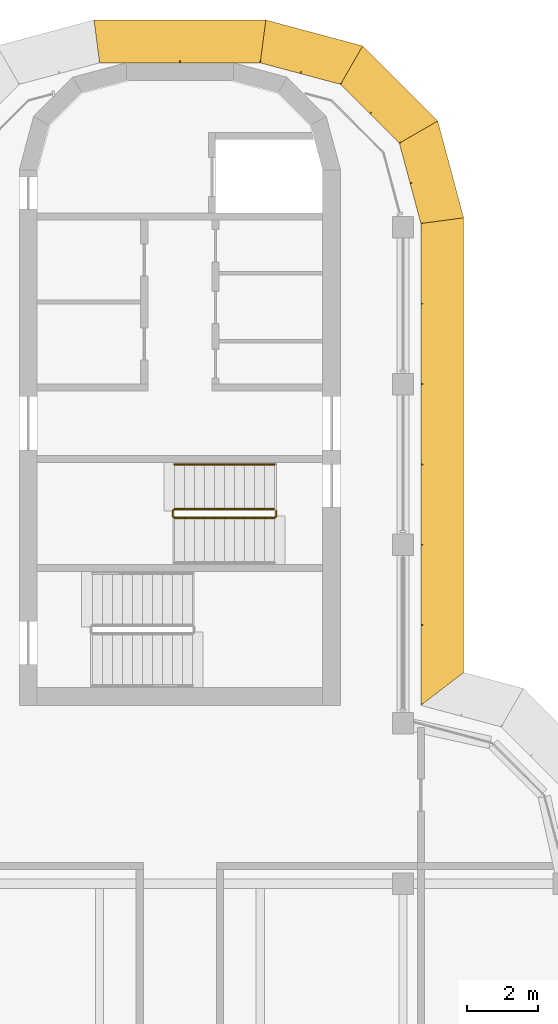
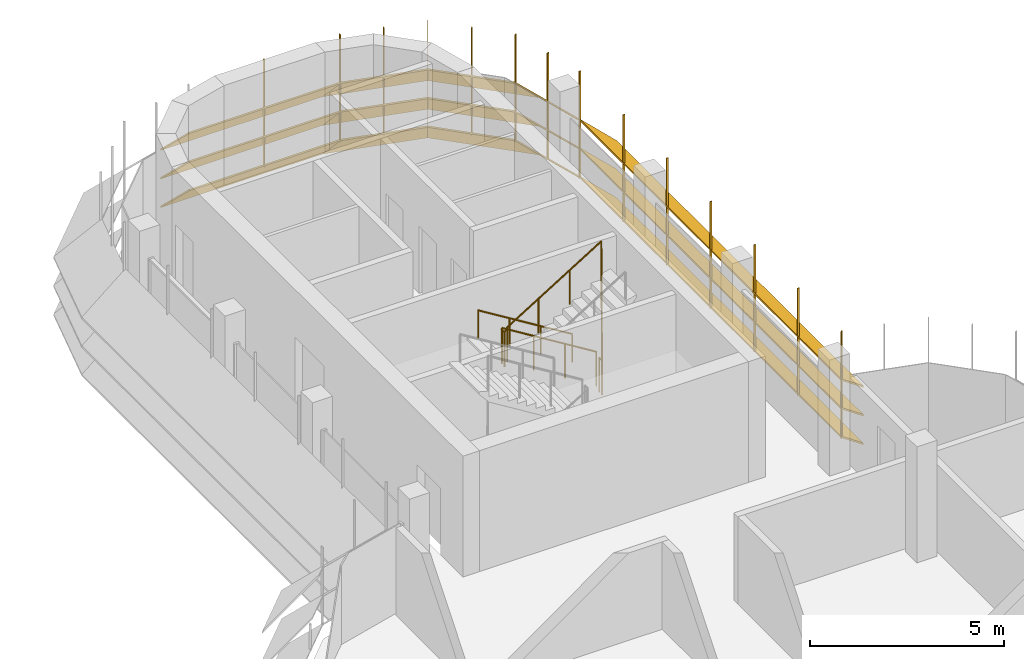
# One storey, part 20 of 20: 3 shading devices, 2 railings.
"""IFC4 building model written with IfcOpenShell, lengths in metres."""

from ifc_helpers import new_model, si_unit, direction, frame, origin, origin_2d, place, context, subcontext, project, spatial, polyline, circle, outline, extrude, faceted_brep, source, transform, mapped, material, type_object, element, save


model = new_model("IFC4")

# Units and contexts
model_context = context("Model", 3, precision=1e-05, world=origin(), true_north=direction((0.0, 1.0)))
body_context = subcontext(model_context, "Body", "Model", "MODEL_VIEW")
ifc_project = project(units=[si_unit("LENGTHUNIT", "METRE"), si_unit("AREAUNIT", "SQUARE_METRE"), si_unit("VOLUMEUNIT", "CUBIC_METRE"), si_unit("PLANEANGLEUNIT", "RADIAN"), si_unit("MASSUNIT", "GRAM", prefix="KILO")], contexts=[model_context])

# Site, building, storey
site_placement = place(None, origin())
site = spatial("IfcSite", under=ifc_project, at=site_placement, CompositionType="ELEMENT")
building_placement = place(site_placement, origin())
building = spatial("IfcBuilding", under=site, at=building_placement, Name="Zarbagh Exchange Tower", CompositionType="ELEMENT")
storey_placement = place(building_placement, frame((0.0, 0.0, 249.800048828125)))
storey = spatial("IfcBuildingStorey", under=building, at=storey_placement, Name="L61", CompositionType="ELEMENT", Elevation=249.800048828125)

# Railings
ifc_material_1 = material(Name="Stainless steel", Category="steel")
railing_type_1 = type_object("IfcRailingType", Name="Stair guard 1100 mm", PredefinedType="GUARDRAIL", material=ifc_material_1)
railing_1_placement = place(storey_placement, frame((2.64990234375, 16.75, 0.172607421875)))
element("IfcRailing", 1, at=railing_1_placement, inside=storey, type_object=railing_type_1, Name="ST1 stair guard 1", PredefinedType="GUARDRAIL", context=body_context, shape_type="SweptSolid", body=[
    extrude(circle(Radius=0.02392578125, at=origin_2d()), frame((0.0, 0.0, 1.076171875), z_axis=(-0.851069175582, 0.0, 0.525053576669), x_axis=(0.0, -1.0, 0.0)), (0.0, 0.0, 1.0), 3.289794921875),
    extrude(circle(Radius=0.02392578125, at=origin_2d()), frame((-2.7998046875, 0.0, 2.80322265625), z_axis=(-0.707106781187, -0.707106781187, 0.0), x_axis=(0.707106781187, -0.707106781187, 0.0)), (0.0, 0.0, 1.0), 0.07080078125),
    extrude(circle(Radius=0.02392578125, at=origin_2d()), frame((-2.849853515625, -0.050048828125, 2.80322265625), z_axis=(0.0, -1.0, 0.0), x_axis=(1.0, 0.0, 0.0)), (0.0, 0.0, 1.0), 0.14990234375),
    extrude(circle(Radius=0.02392578125, at=origin_2d()), frame((-2.849853515625, -0.199951171875, 2.80322265625), z_axis=(0.267953482034, -0.267953482034, 0.925419830635), x_axis=(0.707106781187, 0.707106781187, 0.0)), (0.0, 0.0, 1.0), 0.186767578125),
    extrude(circle(Radius=0.02392578125, at=origin_2d()), frame((-2.7998046875, -0.25, 2.97607421875), z_axis=(0.851069175582, 0.0, 0.525053576669), x_axis=(0.0, 1.0, 0.0)), (0.0, 0.0, 1.0), 3.289794921875),
    extrude(circle(Radius=0.02392578125, at=origin_2d()), frame((0.0, -0.25, 4.70361328125), z_axis=(0.013168290981, 0.013168290981, -0.999826581076), x_axis=(-0.707106781187, 0.707106781187, 0.0)), (0.0, 0.0, 1.0), 3.80078125),
    extrude(circle(Radius=0.02392578125, at=origin_2d()), frame((0.050048828125, -0.199951171875, 0.9033203125), z_axis=(0.0, 1.0, 0.0), x_axis=(-1.0, 0.0, 0.0)), (0.0, 0.0, 1.0), 0.14990234375),
    extrude(circle(Radius=0.02099609375, at=origin_2d()), origin(), (0.0, 0.0, 1.0), 1.052001953125),
    extrude(circle(Radius=0.02099609375, at=origin_2d()), frame((-0.933349609375, 0.0, 0.57568359375)), (0.0, 0.0, 1.0), 1.052001953125),
    extrude(circle(Radius=0.02099609375, at=origin_2d()), frame((-1.866455078125, 0.0, 1.151611328125)), (0.0, 0.0, 1.0), 1.052001953125),
    extrude(circle(Radius=0.02099609375, at=origin_2d()), frame((-2.7998046875, 0.0, 1.727294921875)), (0.0, 0.0, 1.0), 1.052001953125),
    extrude(circle(Radius=0.02099609375, at=origin_2d()), frame((-2.849853515625, -0.050048828125, 1.727294921875)), (0.0, 0.0, 1.0), 1.052001953125),
    extrude(circle(Radius=0.02099609375, at=origin_2d()), frame((-2.849853515625, -0.199951171875, 1.727294921875)), (0.0, 0.0, 1.0), 1.052001953125),
    extrude(circle(Radius=0.02099609375, at=origin_2d()), frame((-2.7998046875, -0.25, 1.900146484375)), (0.0, 0.0, 1.0), 1.052001953125),
    extrude(circle(Radius=0.02099609375, at=origin_2d()), frame((-1.866455078125, -0.25, 2.475830078125)), (0.0, 0.0, 1.0), 1.052001953125),
    extrude(circle(Radius=0.02099609375, at=origin_2d()), frame((-0.933349609375, -0.25, 3.0517578125)), (0.0, 0.0, 1.0), 1.052001953125),
    extrude(circle(Radius=0.02099609375, at=origin_2d()), frame((0.0, -0.25, 3.62744140625)), (0.0, 0.0, 1.0), 1.052001953125),
    extrude(circle(Radius=0.02099609375, at=origin_2d()), frame((0.012451171875, -0.237548828125, 2.677490234375)), (0.0, 0.0, 1.0), 1.052001953125),
    extrude(circle(Radius=0.02099609375, at=origin_2d()), frame((0.02490234375, -0.22509765625, 1.7275390625)), (0.0, 0.0, 1.0), 1.052001953125),
    extrude(circle(Radius=0.02099609375, at=origin_2d()), frame((0.03759765625, -0.21240234375, 0.77734375)), (0.0, 0.0, 1.0), 1.052001953125),
    extrude(circle(Radius=0.02099609375, at=origin_2d()), frame((0.050048828125, -0.199951171875, -0.172607421875)), (0.0, 0.0, 1.0), 1.052001953125),
    extrude(circle(Radius=0.02099609375, at=origin_2d()), frame((0.050048828125, -0.050048828125, -0.172607421875)), (0.0, 0.0, 1.0), 1.052001953125),
])
railing_type_2 = type_object("IfcRailingType", Name="Stair handrail 900 mm", PredefinedType="HANDRAIL", material=ifc_material_1)
railing_2_placement = place(storey_placement, frame((2.64990234375, 18.0, 0.172607421875)))
element("IfcRailing", 2, at=railing_2_placement, inside=storey, type_object=railing_type_2, Name="ST1 stair handrail 1", PredefinedType="HANDRAIL", context=body_context, shape_type="SweptSolid", body=[
    extrude(circle(Radius=0.02392578125, at=origin_2d()), frame((0.0, 0.0, 0.8759765625), z_axis=(-0.851069175582, 0.0, 0.525053576669), x_axis=(0.0, -1.0, 0.0)), (0.0, 0.0, 1.0), 3.289794921875),
    extrude(circle(Radius=0.02099609375, at=origin_2d()), origin(), (0.0, 0.0, 1.0), 0.851806640625),
    extrude(circle(Radius=0.02099609375, at=origin_2d()), frame((-0.933349609375, 0.0, 0.57568359375)), (0.0, 0.0, 1.0), 0.851806640625),
    extrude(circle(Radius=0.02099609375, at=origin_2d()), frame((-1.866455078125, 0.0, 1.151611328125)), (0.0, 0.0, 1.0), 0.851806640625),
    extrude(circle(Radius=0.02099609375, at=origin_2d()), frame((-2.7998046875, 0.0, 1.727294921875)), (0.0, 0.0, 1.0), 0.851806640625),
])

# Shading devices
ifc_material_2 = material(Name="Anodised aluminium blades and brackets", Category="aluminium")
shading_device_type = type_object("IfcShadingDeviceType", Name="SUNSHADE louvre band, 45 degree blades", PredefinedType="JALOUSIE", material=ifc_material_2)
shared_shape_1 = source(origin(), body_context, "Body", "Brep", [
    faceted_brep([(0.0, 0.0, 0.0), (0.0, 0.0, -0.056640625), (-0.157958984375, -1.199951171875, -1.256591796875), (-0.157958984375, -1.199951171875, -1.199951171875), (2.65087890625, -1.199951171875, -1.199951171875), (2.65087890625, -1.199951171875, -1.256591796875), (2.329345703125, 0.0, -0.056640625), (2.329345703125, 0.0, 0.0)], [[[0, 1, 2, 3]], [[4, 5, 6, 7]], [[0, 7, 6, 1]], [[1, 6, 5, 2]], [[2, 5, 4, 3]], [[3, 4, 7, 0]]]),
])
shared_shape_2 = source(origin(), body_context, "Body", "Brep", [
    faceted_brep([(0.0, 0.0, 0.0), (0.0, 0.0, -0.056640625), (-0.321533203125, -1.199951171875, -1.256591796875), (-0.321533203125, -1.199951171875, -1.199951171875), (2.65087890625, -1.199951171875, -1.199951171875), (2.65087890625, -1.199951171875, -1.256591796875), (2.329345703125, 0.0, -0.056640625), (2.329345703125, 0.0, 0.0)], [[[0, 1, 2, 3]], [[4, 5, 6, 7]], [[0, 7, 6, 1]], [[1, 6, 5, 2]], [[2, 5, 4, 3]], [[3, 4, 7, 0]]]),
])
shared_shape_3 = source(origin(), body_context, "Body", "Brep", [
    faceted_brep([(0.0, 0.0, 0.0), (0.0, 0.0, -0.056640625), (-0.321533203125, -1.199951171875, -1.256591796875), (-0.321533203125, -1.199951171875, -1.199951171875), (2.4873046875, -1.199951171875, -1.199951171875), (2.4873046875, -1.199951171875, -1.256591796875), (2.329345703125, 0.0, -0.056640625), (2.329345703125, 0.0, 0.0)], [[[0, 1, 2, 3]], [[4, 5, 6, 7]], [[0, 7, 6, 1]], [[1, 6, 5, 2]], [[2, 5, 4, 3]], [[3, 4, 7, 0]]]),
])
shared_shape_4 = source(origin(), body_context, "Body", "SweptSolid", [
    extrude(outline(polyline([(0.0, -0.012451171875), (0.06005859375, -0.012451171875), (0.06005859375, 0.012451171875), (0.0, 0.012451171875), (0.0, -0.012451171875)])), origin(), (0.0, 0.0, 1.0), 3.366455078125),
])
placement = place(storey_placement, origin())
element("IfcShadingDevice", 3, at=placement, inside=storey, type_object=shading_device_type, Name="SS46 sunshade band", PredefinedType="JALOUSIE", context=body_context, shape_type="MappedRepresentation", body=[
    mapped(shared_shape_1, transform((6.75, 24.75, 2.300048828125), x_axis=(-0.258824779902, 0.965924289636, 0.0), y_axis=(-0.965924289636, -0.258824779902, 0.0), z_axis=(0.0, 0.0, 1.0))),
    mapped(shared_shape_1, transform((6.75, 24.75, 1.39990234375), x_axis=(-0.258824779902, 0.965924289636, 0.0), y_axis=(-0.965924289636, -0.258824779902, 0.0), z_axis=(0.0, 0.0, 1.0))),
    mapped(shared_shape_1, transform((6.75, 24.75, 0.5), x_axis=(-0.258824779902, 0.965924289636, 0.0), y_axis=(-0.965924289636, -0.258824779902, 0.0), z_axis=(0.0, 0.0, 1.0))),
    mapped(shared_shape_2, transform((6.147216796875, 27.0, 2.300048828125), x_axis=(-0.707106781187, 0.707106781187, 0.0), y_axis=(-0.707106781187, -0.707106781187, 0.0), z_axis=(0.0, 0.0, 1.0))),
    mapped(shared_shape_2, transform((6.147216796875, 27.0, 1.39990234375), x_axis=(-0.707106781187, 0.707106781187, 0.0), y_axis=(-0.707106781187, -0.707106781187, 0.0), z_axis=(0.0, 0.0, 1.0))),
    mapped(shared_shape_2, transform((6.147216796875, 27.0, 0.5), x_axis=(-0.707106781187, 0.707106781187, 0.0), y_axis=(-0.707106781187, -0.707106781187, 0.0), z_axis=(0.0, 0.0, 1.0))),
    mapped(shared_shape_3, transform((4.5, 28.647216796875, 2.300048828125), x_axis=(-0.965924289636, 0.258824779902, 0.0), y_axis=(-0.258824779902, -0.965924289636, 0.0), z_axis=(0.0, 0.0, 1.0))),
    mapped(shared_shape_3, transform((4.5, 28.647216796875, 1.39990234375), x_axis=(-0.965924289636, 0.258824779902, 0.0), y_axis=(-0.258824779902, -0.965924289636, 0.0), z_axis=(0.0, 0.0, 1.0))),
    mapped(shared_shape_3, transform((4.5, 28.647216796875, 0.5), x_axis=(-0.965924289636, 0.258824779902, 0.0), y_axis=(-0.258824779902, -0.965924289636, 0.0), z_axis=(0.0, 0.0, 1.0))),
    mapped(shared_shape_4, transform((6.75, 24.75, 0.413330078125), x_axis=(0.991444457092, 0.130529263012, 0.0), y_axis=(-0.130529263012, 0.991444457092, 0.0), z_axis=(0.0, 0.0, 1.0))),
    mapped(shared_shape_4, transform((6.448486328125, 25.875, 0.413330078125), x_axis=(0.96592421511, 0.258825058029, 0.0), y_axis=(-0.258825058029, 0.96592421511, 0.0), z_axis=(0.0, 0.0, 1.0))),
    mapped(shared_shape_4, transform((6.147216796875, 27.0, 0.413330078125), x_axis=(0.866023812018, 0.50000275701, 0.0), y_axis=(-0.50000275701, 0.866023812018, 0.0), z_axis=(0.0, 0.0, 1.0))),
    mapped(shared_shape_4, transform((5.323486328125, 27.823486328125, 0.413330078125), x_axis=(0.707106781187, 0.707106781187, 0.0), y_axis=(-0.707106781187, 0.707106781187, 0.0), z_axis=(0.0, 0.0, 1.0))),
    mapped(shared_shape_4, transform((4.5, 28.647216796875, 0.413330078125), x_axis=(0.50000275701, 0.866023812018, 0.0), y_axis=(-0.866023812018, 0.50000275701, 0.0), z_axis=(0.0, 0.0, 1.0))),
    mapped(shared_shape_4, transform((3.375, 28.948486328125, 0.413330078125), x_axis=(0.258825058029, 0.96592421511, 0.0), y_axis=(-0.96592421511, 0.258825058029, 0.0), z_axis=(0.0, 0.0, 1.0))),
])
shared_shape_5 = source(origin(), body_context, "Body", "Brep", [
    faceted_brep([(0.0, 0.0, 0.0), (0.0, 0.0, -0.056640625), (0.9208984375, -1.199951171875, -1.256591796875), (0.9208984375, -1.199951171875, -1.199951171875), (13.657958984375, -1.199951171875, -1.199951171875), (13.657958984375, -1.199951171875, -1.256591796875), (13.5, 0.0, -0.056640625), (13.5, 0.0, 0.0)], [[[0, 1, 2, 3]], [[4, 5, 6, 7]], [[0, 7, 6, 1]], [[1, 6, 5, 2]], [[2, 5, 4, 3]], [[3, 4, 7, 0]]]),
])
element("IfcShadingDevice", 4, at=placement, inside=storey, type_object=shading_device_type, Name="SS45 sunshade band", PredefinedType="JALOUSIE", context=body_context, shape_type="MappedRepresentation", body=[
    mapped(shared_shape_5, transform((6.75, 11.25, 2.300048828125), x_axis=(0.0, 1.0, 0.0), y_axis=(-1.0, 0.0, 0.0), z_axis=(0.0, 0.0, 1.0))),
    mapped(shared_shape_5, transform((6.75, 11.25, 1.39990234375), x_axis=(0.0, 1.0, 0.0), y_axis=(-1.0, 0.0, 0.0), z_axis=(0.0, 0.0, 1.0))),
    mapped(shared_shape_5, transform((6.75, 11.25, 0.5), x_axis=(0.0, 1.0, 0.0), y_axis=(-1.0, 0.0, 0.0), z_axis=(0.0, 0.0, 1.0))),
    mapped(shared_shape_4, transform((6.75, 11.25, 0.413330078125), x_axis=(0.793355287, 0.608758892, 0.0), y_axis=(-0.608758892, 0.793355287, 0.0), z_axis=(0.0, 0.0, 1.0))),
    mapped(shared_shape_4, transform((6.75, 13.5, 0.413330078125), x_axis=(1.0, 0.0, 0.0), y_axis=(0.0, 1.0, 0.0), z_axis=(0.0, 0.0, 1.0))),
    mapped(shared_shape_4, transform((6.75, 15.75, 0.413330078125), x_axis=(1.0, 0.0, 0.0), y_axis=(0.0, 1.0, 0.0), z_axis=(0.0, 0.0, 1.0))),
    mapped(shared_shape_4, transform((6.75, 18.0, 0.413330078125), x_axis=(1.0, 0.0, 0.0), y_axis=(0.0, 1.0, 0.0), z_axis=(0.0, 0.0, 1.0))),
    mapped(shared_shape_4, transform((6.75, 20.25, 0.413330078125), x_axis=(1.0, 0.0, 0.0), y_axis=(0.0, 1.0, 0.0), z_axis=(0.0, 0.0, 1.0))),
    mapped(shared_shape_4, transform((6.75, 22.5, 0.413330078125), x_axis=(1.0, 0.0, 0.0), y_axis=(0.0, 1.0, 0.0), z_axis=(0.0, 0.0, 1.0))),
])
shared_shape_6 = source(origin(), body_context, "Body", "Brep", [
    faceted_brep([(0.0, 0.0, 0.0), (0.0, 0.0, -0.056640625), (-0.157958984375, -1.199951171875, -1.256591796875), (-0.157958984375, -1.199951171875, -1.199951171875), (4.657958984375, -1.199951171875, -1.199951171875), (4.657958984375, -1.199951171875, -1.256591796875), (4.5, 0.0, -0.056640625), (4.5, 0.0, 0.0)], [[[0, 1, 2, 3]], [[4, 5, 6, 7]], [[0, 7, 6, 1]], [[1, 6, 5, 2]], [[2, 5, 4, 3]], [[3, 4, 7, 0]]]),
])
element("IfcShadingDevice", 5, at=placement, inside=storey, type_object=shading_device_type, Name="SS47 sunshade band", PredefinedType="JALOUSIE", context=body_context, shape_type="MappedRepresentation", body=[
    mapped(shared_shape_6, transform((2.25, 29.25, 2.300048828125), x_axis=(-1.0, 0.0, 0.0), y_axis=(0.0, -1.0, 0.0), z_axis=(0.0, 0.0, 1.0))),
    mapped(shared_shape_6, transform((2.25, 29.25, 1.39990234375), x_axis=(-1.0, 0.0, 0.0), y_axis=(0.0, -1.0, 0.0), z_axis=(0.0, 0.0, 1.0))),
    mapped(shared_shape_6, transform((2.25, 29.25, 0.5), x_axis=(-1.0, 0.0, 0.0), y_axis=(0.0, -1.0, 0.0), z_axis=(0.0, 0.0, 1.0))),
    mapped(shared_shape_4, transform((2.25, 29.25, 0.413330078125), x_axis=(0.130529263012, 0.991444457092, 0.0), y_axis=(-0.991444457092, 0.130529263012, 0.0), z_axis=(0.0, 0.0, 1.0))),
    mapped(shared_shape_4, transform((0.0, 29.25, 0.413330078125), x_axis=(0.0, 1.0, 0.0), y_axis=(-1.0, 0.0, 0.0), z_axis=(0.0, 0.0, 1.0))),
])

save(model, "model.ifc")
